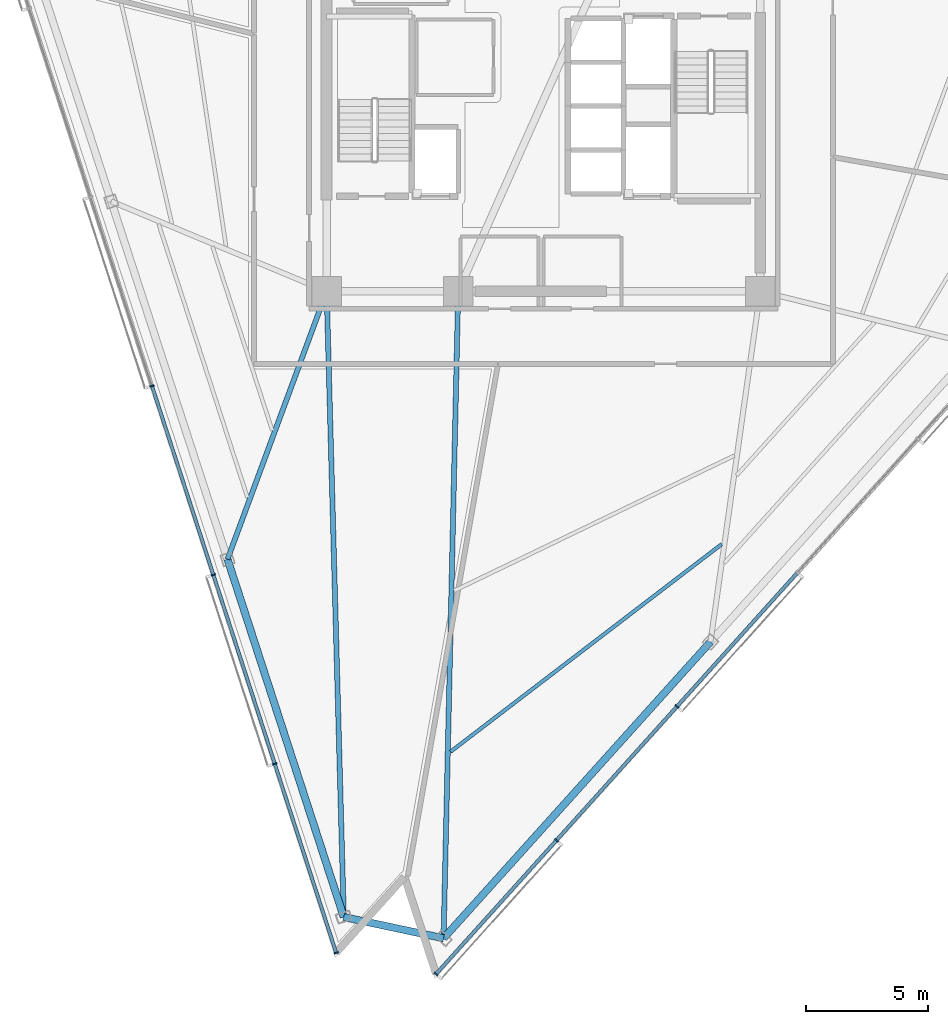
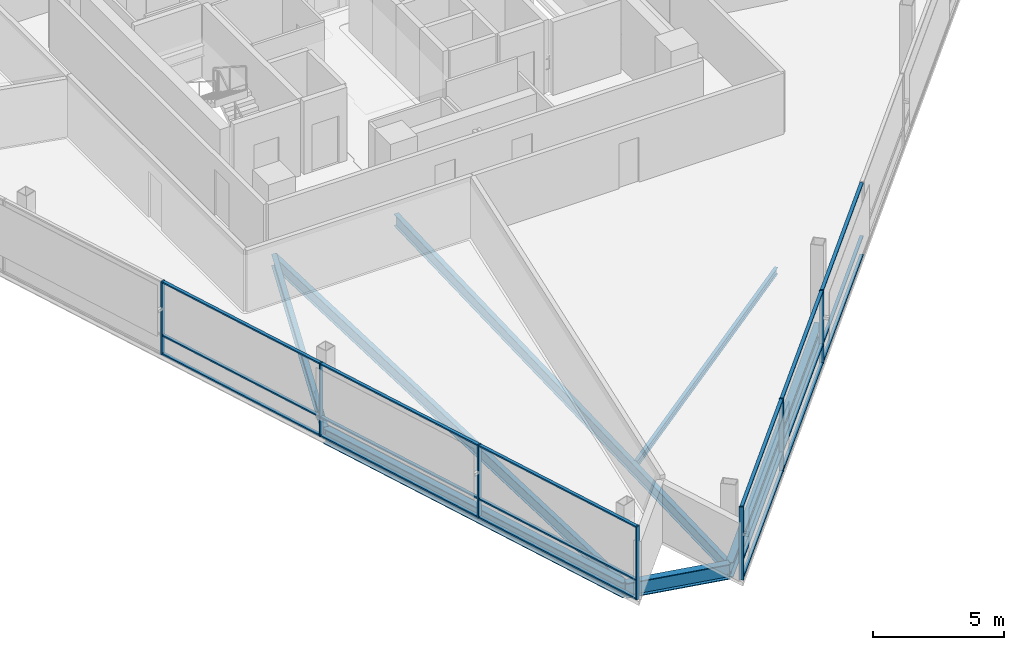
# One storey, part 2 of 16: 25 members, 7 beams, 2 elements without a shape of their own.
"""IFC4 building model written with IfcOpenShell, lengths in metres."""

import ifcopenshell
import ifcopenshell.guid

model = None  # the IFC model being written
_history = None  # IfcOwnerHistory: only IFC2X3 demands one
_inside = {}  # id of a spatial element -> (the spatial element, [elements in it])
_under = {}  # id of a project, library or spatial element -> (it, [spatial elements below it])
_declared = {}  # id of a project -> (the project, [libraries it declares])
_typed = {}  # id of a type object -> (the type object, [elements of that type])
_made_of = {}  # id of a material, layer set ... -> (it, [elements and type objects made of it])


def new_model(schema):
    """Start an empty IFC model of exactly this schema.

    Asked for "IFC4X3", IfcOpenShell would pick the latest addendum, in which some entities
    have other attributes; the version numbers below select the first issue.
    IFC2X3 requires an IfcOwnerHistory on every rooted entity: one is made here for all.
    """
    global model, _history
    if schema == "IFC4X3":
        model = ifcopenshell.file(schema_version=(4, 3, 0, 0))
    else:
        model = ifcopenshell.file(schema=schema)
    _inside.clear()
    _under.clear()
    _declared.clear()
    _typed.clear()
    _made_of.clear()
    _history = None
    if model.schema == "IFC2X3":
        org = make("IfcOrganization", Name="unknown")
        user = make(
            "IfcPersonAndOrganization",
            ThePerson=make("IfcPerson", FamilyName="unknown"),
            TheOrganization=org,
        )
        app = make(
            "IfcApplication",
            ApplicationDeveloper=org,
            Version="unknown",
            ApplicationFullName="unknown",
            ApplicationIdentifier="unknown",
        )
        _history = make(
            "IfcOwnerHistory",
            OwningUser=user,
            OwningApplication=app,
            ChangeAction="ADDED",
            CreationDate=0,
        )
    return model


def make(cls, **values):
    """One entity of the class cls with the attributes given. An attribute that is None is left unset."""
    return model.create_entity(
        cls, **{name: value for name, value in values.items() if value is not None}
    )


def rooted(cls, **values):
    """An entity with a GlobalId (a new one), such as an element, a storey or a relation."""
    return make(cls, GlobalId=ifcopenshell.guid.new(), OwnerHistory=_history, **values)


def si_unit(unit_type, name, prefix=None):
    """IfcSIUnit, for example si_unit("LENGTHUNIT", "METRE", prefix="MILLI")."""
    return make("IfcSIUnit", UnitType=unit_type, Prefix=prefix, Name=name)


def assignment(units):
    """IfcUnitAssignment: the units of a project."""
    return None if units is None else make("IfcUnitAssignment", Units=units)


def point(xyz):
    """IfcCartesianPoint."""
    return None if xyz is None else make("IfcCartesianPoint", Coordinates=xyz)


def direction(xyz):
    """IfcDirection."""
    return None if xyz is None else make("IfcDirection", DirectionRatios=xyz)


def frame(location, z_axis=None, x_axis=None):
    """IfcAxis2Placement3D, a coordinate frame: its origin and axes. An axis left out is left unset."""
    return make(
        "IfcAxis2Placement3D",
        Location=point(location),
        Axis=direction(z_axis),
        RefDirection=direction(x_axis),
    )


def frame_2d(location, x_axis=None):
    """IfcAxis2Placement2D, a coordinate frame in the plane: its origin and x axis."""
    return make(
        "IfcAxis2Placement2D", Location=point(location), RefDirection=direction(x_axis)
    )


def origin():
    """The frame at (0, 0, 0) with its axes left unset."""
    return frame((0.0, 0.0, 0.0))


def origin_2d():
    """The frame at (0, 0) in the plane with its x axis left unset."""
    return frame_2d((0.0, 0.0))


def place(relative_to, where):
    """IfcLocalPlacement: puts the frame where relative to a parent placement (None: the world)."""
    return make(
        "IfcLocalPlacement", PlacementRelTo=relative_to, RelativePlacement=where
    )


def context(
    kind, dimensions, precision=None, world=None, true_north=None, identifier=None
):
    """IfcGeometricRepresentationContext, for example the 3D "Model" context."""
    return make(
        "IfcGeometricRepresentationContext",
        ContextIdentifier=identifier,
        ContextType=kind,
        CoordinateSpaceDimension=dimensions,
        Precision=precision,
        WorldCoordinateSystem=world,
        TrueNorth=true_north,
    )


def subcontext(parent, identifier, kind, view, scale=None):
    """IfcGeometricRepresentationSubContext, for example "Body" below "Model"."""
    return make(
        "IfcGeometricRepresentationSubContext",
        ContextIdentifier=identifier,
        ContextType=kind,
        ParentContext=parent,
        TargetScale=scale,
        TargetView=view,
    )


def project(units=None, contexts=None):
    """IfcProject with its units and contexts."""
    return rooted(
        "IfcProject",
        Name="project",
        RepresentationContexts=contexts,
        UnitsInContext=assignment(units),
    )


def spatial(cls, under=None, at=None, **own):
    """A site, building, storey or space (cls), placed at a placement, below another one or the project."""
    s = rooted(cls, ObjectPlacement=at, **own)
    if under is not None:
        _under.setdefault(under.id(), (under, []))[1].append(s)
    return s


def profile(cls, at=None, kind="AREA", **sizes):
    """A parametric profile (cls). Its sizes go by their IFC names, for example OverallWidth=200.0."""
    return make(cls, ProfileType=kind, Position=at, **sizes)


def rectangle(**sizes):
    """IfcRectangleProfileDef."""
    return profile("IfcRectangleProfileDef", **sizes)


def i_section(**sizes):
    """IfcIShapeProfileDef."""
    return profile("IfcIShapeProfileDef", **sizes)


def extrude(swept, where, along, depth):
    """IfcExtrudedAreaSolid: the profile swept, set in the frame where, extruded along a direction by depth."""
    return make(
        "IfcExtrudedAreaSolid",
        SweptArea=swept,
        Position=where,
        ExtrudedDirection=direction(along),
        Depth=depth,
    )


def shape(context_of_items, identifier, shape_type, items):
    """IfcShapeRepresentation: the items that make up one representation, for example the "Body"."""
    return make(
        "IfcShapeRepresentation",
        ContextOfItems=context_of_items,
        RepresentationIdentifier=identifier,
        RepresentationType=shape_type,
        Items=items,
    )


def material(Name=None, Category=None):
    """IfcMaterial."""
    return make("IfcMaterial", Name=Name, Category=Category)


def layer(
    of_material, thickness, ventilated=None, Name=None, Category=None, Priority=None
):
    """IfcMaterialLayer: one layer of a wall or slab, of a material (None: an air gap)."""
    return make(
        "IfcMaterialLayer",
        Material=of_material,
        LayerThickness=thickness,
        IsVentilated=ventilated,
        Name=Name,
        Category=Category,
        Priority=Priority,
    )


def layer_set(layers, Name=None):
    """IfcMaterialLayerSet."""
    return make("IfcMaterialLayerSet", MaterialLayers=layers, LayerSetName=Name)


def material_profile(
    of_material, cross_section, Name=None, Category=None, Priority=None
):
    """IfcMaterialProfile: a cross section and its material."""
    return make(
        "IfcMaterialProfile",
        Name=Name,
        Material=of_material,
        Profile=cross_section,
        Priority=Priority,
        Category=Category,
    )


def profile_set(profiles, Name=None, composite=None):
    """IfcMaterialProfileSet."""
    return make(
        "IfcMaterialProfileSet",
        Name=Name,
        MaterialProfiles=profiles,
        CompositeProfile=composite,
    )


def made_of(thing, what):
    """Note that an element or type object is made of a material, layer set ...; save() writes the relation."""
    if what is not None:
        _made_of.setdefault(what.id(), (what, []))[1].append(thing)
    return thing


def type_object(cls, material=None, **own):
    """A type object (cls), such as IfcWallType, which elements share."""
    return made_of(rooted(cls, **own), material)


def element(
    cls,
    number,
    at=None,
    inside=None,
    cuts=None,
    type_object=None,
    material=None,
    context=None,
    identifier="Body",
    shape_type=None,
    held_by="IfcProductDefinitionShape",
    body=None,
    shapes=None,
    **own,
):
    """One element of the class cls, such as IfcWall. Its Tag is "e" and its number.

    at: its placement. inside: the storey or other place that contains it. cuts: it is an
    opening in that element (IfcRelVoidsElement). A single representation is given by context,
    identifier, shape_type and body (its items); several are given by shapes. held_by: the class
    of the entity that holds the representations. save() writes the other relations.
    """
    e = rooted(cls, Tag="e%d" % number, ObjectPlacement=at, **own)
    if body is not None:
        shapes = [shape(context, identifier, shape_type, body)]
    if shapes is not None:
        e.Representation = make(held_by, Representations=shapes)
    if inside is not None:
        _inside.setdefault(inside.id(), (inside, []))[1].append(e)
    if cuts is not None:
        rooted(
            "IfcRelVoidsElement", RelatingBuildingElement=cuts, RelatedOpeningElement=e
        )
    if type_object is not None:
        _typed.setdefault(type_object.id(), (type_object, []))[1].append(e)
    return made_of(e, material)


def aggregate(whole, parts):
    """IfcRelAggregates: a whole, such as a stair, and the parts it consists of."""
    return rooted("IfcRelAggregates", RelatingObject=whole, RelatedObjects=parts)


def save(model, path):
    """Write the relations noted so far, then the file.

    IfcRelAggregates (storeys below a building ...), IfcRelContainedInSpatialStructure (elements
    in a storey), IfcRelDefinesByType, IfcRelAssociatesMaterial and IfcRelDeclares: one each for
    every whole, place, type object, material and project.
    """
    for whole, parts in _under.values():
        aggregate(whole, parts)
    for where, things in _inside.values():
        rooted(
            "IfcRelContainedInSpatialStructure",
            RelatedElements=things,
            RelatingStructure=where,
        )
    for kind, things in _typed.values():
        rooted("IfcRelDefinesByType", RelatedObjects=things, RelatingType=kind)
    for what, things in _made_of.values():
        rooted("IfcRelAssociatesMaterial", RelatedObjects=things, RelatingMaterial=what)
    for by, libraries in _declared.values():
        rooted("IfcRelDeclares", RelatingContext=by, RelatedDefinitions=libraries)
    model.write(path)


model = new_model("IFC4")

# Units and contexts
model_context = context("Model", 3, precision=1e-05, world=origin(), true_north=direction((0.0, 1.0)))
body_context = subcontext(model_context, "Body", "Model", "MODEL_VIEW")
ifc_project = project(units=[si_unit("LENGTHUNIT", "METRE"), si_unit("AREAUNIT", "SQUARE_METRE"), si_unit("VOLUMEUNIT", "CUBIC_METRE"), si_unit("PLANEANGLEUNIT", "RADIAN"), si_unit("MASSUNIT", "GRAM", prefix="KILO")], contexts=[model_context])

# Site, building, storey
site_placement = place(None, origin())
site = spatial("IfcSite", under=ifc_project, at=site_placement, CompositionType="ELEMENT")
building_placement = place(site_placement, origin())
building = spatial("IfcBuilding", under=site, at=building_placement, Name="Tharavind Bronze Gate", CompositionType="ELEMENT")
storey_placement = place(building_placement, frame((0.0, 0.0, 211.25)))
storey = spatial("IfcBuildingStorey", under=building, at=storey_placement, Name="L54", CompositionType="ELEMENT", Elevation=211.25)

# Curtain wall, members
ifc_material_1 = material(Name="Anodised Bronze Aluminium", Category="aluminium")
ifc_layer = layer(ifc_material_1, 0.219970703125)
ifc_layer_set = layer_set([ifc_layer], Name="Anodised Bronze Aluminium")
curtain_wall_type = type_object("IfcCurtainWallType", Name="UNITISED CURTAIN WALL MID OFFICE", PredefinedType="USERDEFINED", material=ifc_layer_set)
curtain_wall_1_placement = place(storey_placement, origin())
curtain_wall_1 = element("IfcCurtainWall", 1, at=curtain_wall_1_placement, inside=storey, type_object=curtain_wall_type, Name="L54 unitised curtain wall mid office CW-L54-S1", ObjectType="UNITISED CURTAIN WALL", PredefinedType="USERDEFINED")
member_type_1 = type_object("IfcMemberType", Name="CURTAIN WALL BRONZE MULLION 65X180", PredefinedType="MULLION", material=ifc_material_1)
member_1_placement = place(storey_placement, frame((-16.0693359375, -11.489013671875, 0.0), z_axis=(0.0, 0.0, 1.0), x_axis=(0.309016994375, -0.951056516295, 0.0)))
member_1 = element("IfcMember", 2, at=member_1_placement, type_object=member_type_1, Name="CW-L54-S1 mullion 4", PredefinedType="MULLION", context=body_context, shape_type="SweptSolid", body=[
    extrude(rectangle(XDim=0.06494140625, YDim=0.179931640625, at=origin_2d()), origin(), (0.0, 0.0, 1.0), 3.419921875),
])
member_2_placement = place(storey_placement, frame((-13.54931640625, -19.24560546875, 0.0), z_axis=(0.0, 0.0, 1.0), x_axis=(0.309016994375, -0.951056516295, 0.0)))
member_2 = element("IfcMember", 3, at=member_2_placement, type_object=member_type_1, Name="CW-L54-S1 mullion 5", PredefinedType="MULLION", context=body_context, shape_type="SweptSolid", body=[
    extrude(rectangle(XDim=0.06494140625, YDim=0.179931640625, at=origin_2d()), origin(), (0.0, 0.0, 1.0), 3.419921875),
])
member_3_placement = place(storey_placement, frame((-11.029052734375, -27.002197265625, 0.0), z_axis=(0.0, 0.0, 1.0), x_axis=(0.309016994375, -0.951056516295, 0.0)))
member_3 = element("IfcMember", 4, at=member_3_placement, type_object=member_type_1, Name="CW-L54-S1 mullion 6", PredefinedType="MULLION", context=body_context, shape_type="SweptSolid", body=[
    extrude(rectangle(XDim=0.06494140625, YDim=0.179931640625, at=origin_2d()), origin(), (0.0, 0.0, 1.0), 3.419921875),
])
member_4_placement = place(storey_placement, frame((-8.5087890625, -34.7587890625, 0.0), z_axis=(0.0, 0.0, 1.0), x_axis=(0.309016994375, -0.951056516295, 0.0)))
member_4 = element("IfcMember", 5, at=member_4_placement, type_object=member_type_1, Name="CW-L54-S1 mullion 7", PredefinedType="MULLION", context=body_context, shape_type="SweptSolid", body=[
    extrude(rectangle(XDim=0.06494140625, YDim=0.179931640625, at=origin_2d()), origin(), (0.0, 0.0, 1.0), 3.419921875),
])

curtain_wall_2_placement = place(storey_placement, origin())
curtain_wall_2 = element("IfcCurtainWall", 6, at=curtain_wall_2_placement, inside=storey, type_object=curtain_wall_type, Name="L54 unitised curtain wall mid office CW-L54-S2", ObjectType="UNITISED CURTAIN WALL", PredefinedType="USERDEFINED")
member_5_placement = place(storey_placement, frame((-4.412109375, -35.62939453125, 0.0), z_axis=(0.0, 0.0, 1.0), x_axis=(0.669130606359, 0.743144825477, 0.0)))
member_5 = element("IfcMember", 7, at=member_5_placement, type_object=member_type_1, Name="CW-L54-S2 mullion 1", PredefinedType="MULLION", context=body_context, shape_type="SweptSolid", body=[
    extrude(rectangle(XDim=0.06494140625, YDim=0.179931640625, at=origin_2d()), origin(), (0.0, 0.0, 1.0), 3.419921875),
])
member_6_placement = place(storey_placement, frame((0.5322265625, -30.13818359375, 0.0), z_axis=(0.0, 0.0, 1.0), x_axis=(0.669130606359, 0.743144825477, 0.0)))
member_6 = element("IfcMember", 8, at=member_6_placement, type_object=member_type_1, Name="CW-L54-S2 mullion 2", PredefinedType="MULLION", context=body_context, shape_type="SweptSolid", body=[
    extrude(rectangle(XDim=0.06494140625, YDim=0.179931640625, at=origin_2d()), origin(), (0.0, 0.0, 1.0), 3.419921875),
])
member_7_placement = place(storey_placement, frame((5.476806640625, -24.646484375, 0.0), z_axis=(0.0, 0.0, 1.0), x_axis=(0.669130606359, 0.743144825477, 0.0)))
member_7 = element("IfcMember", 9, at=member_7_placement, type_object=member_type_1, Name="CW-L54-S2 mullion 3", PredefinedType="MULLION", context=body_context, shape_type="SweptSolid", body=[
    extrude(rectangle(XDim=0.06494140625, YDim=0.179931640625, at=origin_2d()), origin(), (0.0, 0.0, 1.0), 3.419921875),
])

# Member
member_type_2 = type_object("IfcMemberType", Name="CURTAIN WALL BRONZE TRANSOM 65X140", PredefinedType="USERDEFINED", material=ifc_material_1)
member_8_placement = place(storey_placement, frame((-14.809326171875, -15.367431640625, 0.0), z_axis=(0.0, 0.0, 1.0), x_axis=(0.309016994375, -0.951056516295, 0.0)))
member_8 = element("IfcMember", 10, at=member_8_placement, type_object=member_type_2, Name="CW-L54-S1 transom TB4", ObjectType="TRANSOM", PredefinedType="USERDEFINED", context=body_context, shape_type="SweptSolid", body=[
    extrude(rectangle(XDim=8.102783203125, YDim=0.139892578125, at=origin_2d()), origin(), (0.0, 0.0, 1.0), 0.06494140625),
])

member_9_placement = place(storey_placement, frame((-14.809326171875, -15.367431640625, 0.867431640625), z_axis=(0.0, 0.0, 1.0), x_axis=(0.309016994375, -0.951056516295, 0.0)))
member_9 = element("IfcMember", 11, at=member_9_placement, type_object=member_type_2, Name="CW-L54-S1 transom TS4", ObjectType="TRANSOM", PredefinedType="USERDEFINED", context=body_context, shape_type="SweptSolid", body=[
    extrude(rectangle(XDim=8.102783203125, YDim=0.139892578125, at=origin_2d()), origin(), (0.0, 0.0, 1.0), 0.06494140625),
])

member_10_placement = place(storey_placement, frame((-14.809326171875, -15.367431640625, 3.35498046875), z_axis=(0.0, 0.0, 1.0), x_axis=(0.309016994375, -0.951056516295, 0.0)))
member_10 = element("IfcMember", 12, at=member_10_placement, type_object=member_type_2, Name="CW-L54-S1 transom TT4", ObjectType="TRANSOM", PredefinedType="USERDEFINED", context=body_context, shape_type="SweptSolid", body=[
    extrude(rectangle(XDim=8.102783203125, YDim=0.139892578125, at=origin_2d()), origin(), (0.0, 0.0, 1.0), 0.06494140625),
])

member_11_placement = place(storey_placement, frame((-12.2890625, -23.123779296875, 0.0), z_axis=(0.0, 0.0, 1.0), x_axis=(0.309016994375, -0.951056516295, 0.0)))
member_11 = element("IfcMember", 13, at=member_11_placement, type_object=member_type_2, Name="CW-L54-S1 transom TB5", ObjectType="TRANSOM", PredefinedType="USERDEFINED", context=body_context, shape_type="SweptSolid", body=[
    extrude(rectangle(XDim=8.102783203125, YDim=0.139892578125, at=origin_2d()), origin(), (0.0, 0.0, 1.0), 0.06494140625),
])

member_12_placement = place(storey_placement, frame((-12.2890625, -23.123779296875, 0.867431640625), z_axis=(0.0, 0.0, 1.0), x_axis=(0.309016994375, -0.951056516295, 0.0)))
member_12 = element("IfcMember", 14, at=member_12_placement, type_object=member_type_2, Name="CW-L54-S1 transom TS5", ObjectType="TRANSOM", PredefinedType="USERDEFINED", context=body_context, shape_type="SweptSolid", body=[
    extrude(rectangle(XDim=8.102783203125, YDim=0.139892578125, at=origin_2d()), origin(), (0.0, 0.0, 1.0), 0.06494140625),
])

member_13_placement = place(storey_placement, frame((-12.2890625, -23.123779296875, 3.35498046875), z_axis=(0.0, 0.0, 1.0), x_axis=(0.309016994375, -0.951056516295, 0.0)))
member_13 = element("IfcMember", 15, at=member_13_placement, type_object=member_type_2, Name="CW-L54-S1 transom TT5", ObjectType="TRANSOM", PredefinedType="USERDEFINED", context=body_context, shape_type="SweptSolid", body=[
    extrude(rectangle(XDim=8.102783203125, YDim=0.139892578125, at=origin_2d()), origin(), (0.0, 0.0, 1.0), 0.06494140625),
])

member_14_placement = place(storey_placement, frame((-9.768798828125, -30.88037109375, 0.0), z_axis=(0.0, 0.0, 1.0), x_axis=(0.309016994375, -0.951056516295, 0.0)))
member_14 = element("IfcMember", 16, at=member_14_placement, type_object=member_type_2, Name="CW-L54-S1 transom TB6", ObjectType="TRANSOM", PredefinedType="USERDEFINED", context=body_context, shape_type="SweptSolid", body=[
    extrude(rectangle(XDim=8.102783203125, YDim=0.139892578125, at=origin_2d()), origin(), (0.0, 0.0, 1.0), 0.06494140625),
])

member_15_placement = place(storey_placement, frame((-9.768798828125, -30.88037109375, 0.867431640625), z_axis=(0.0, 0.0, 1.0), x_axis=(0.309016994375, -0.951056516295, 0.0)))
member_15 = element("IfcMember", 17, at=member_15_placement, type_object=member_type_2, Name="CW-L54-S1 transom TS6", ObjectType="TRANSOM", PredefinedType="USERDEFINED", context=body_context, shape_type="SweptSolid", body=[
    extrude(rectangle(XDim=8.102783203125, YDim=0.139892578125, at=origin_2d()), origin(), (0.0, 0.0, 1.0), 0.06494140625),
])

member_16_placement = place(storey_placement, frame((-9.768798828125, -30.88037109375, 3.35498046875), z_axis=(0.0, 0.0, 1.0), x_axis=(0.309016994375, -0.951056516295, 0.0)))
member_16 = element("IfcMember", 18, at=member_16_placement, type_object=member_type_2, Name="CW-L54-S1 transom TT6", ObjectType="TRANSOM", PredefinedType="USERDEFINED", context=body_context, shape_type="SweptSolid", body=[
    extrude(rectangle(XDim=8.102783203125, YDim=0.139892578125, at=origin_2d()), origin(), (0.0, 0.0, 1.0), 0.06494140625),
])

aggregate(curtain_wall_1, [member_1, member_2, member_3, member_4, member_8, member_9, member_10, member_11, member_12, member_13, member_14, member_15, member_16])

member_17_placement = place(storey_placement, frame((-1.93994140625, -32.8837890625, 0.0), z_axis=(0.0, 0.0, 1.0), x_axis=(0.669130606359, 0.743144825477, 0.0)))
member_17 = element("IfcMember", 19, at=member_17_placement, type_object=member_type_2, Name="CW-L54-S2 transom TB1", ObjectType="TRANSOM", PredefinedType="USERDEFINED", context=body_context, shape_type="SweptSolid", body=[
    extrude(rectangle(XDim=7.33642578125, YDim=0.139892578125, at=origin_2d()), origin(), (0.0, 0.0, 1.0), 0.06494140625),
])

member_18_placement = place(storey_placement, frame((-1.93994140625, -32.8837890625, 0.867431640625), z_axis=(0.0, 0.0, 1.0), x_axis=(0.669130606359, 0.743144825477, 0.0)))
member_18 = element("IfcMember", 20, at=member_18_placement, type_object=member_type_2, Name="CW-L54-S2 transom TS1", ObjectType="TRANSOM", PredefinedType="USERDEFINED", context=body_context, shape_type="SweptSolid", body=[
    extrude(rectangle(XDim=7.33642578125, YDim=0.139892578125, at=origin_2d()), origin(), (0.0, 0.0, 1.0), 0.06494140625),
])

member_19_placement = place(storey_placement, frame((-1.93994140625, -32.8837890625, 3.35498046875), z_axis=(0.0, 0.0, 1.0), x_axis=(0.669130606359, 0.743144825477, 0.0)))
member_19 = element("IfcMember", 21, at=member_19_placement, type_object=member_type_2, Name="CW-L54-S2 transom TT1", ObjectType="TRANSOM", PredefinedType="USERDEFINED", context=body_context, shape_type="SweptSolid", body=[
    extrude(rectangle(XDim=7.33642578125, YDim=0.139892578125, at=origin_2d()), origin(), (0.0, 0.0, 1.0), 0.06494140625),
])

member_20_placement = place(storey_placement, frame((3.004638671875, -27.392333984375, 0.0), z_axis=(0.0, 0.0, 1.0), x_axis=(0.669130606359, 0.743144825477, 0.0)))
member_20 = element("IfcMember", 22, at=member_20_placement, type_object=member_type_2, Name="CW-L54-S2 transom TB2", ObjectType="TRANSOM", PredefinedType="USERDEFINED", context=body_context, shape_type="SweptSolid", body=[
    extrude(rectangle(XDim=7.33642578125, YDim=0.139892578125, at=origin_2d()), origin(), (0.0, 0.0, 1.0), 0.06494140625),
])

member_21_placement = place(storey_placement, frame((3.004638671875, -27.392333984375, 0.867431640625), z_axis=(0.0, 0.0, 1.0), x_axis=(0.669130606359, 0.743144825477, 0.0)))
member_21 = element("IfcMember", 23, at=member_21_placement, type_object=member_type_2, Name="CW-L54-S2 transom TS2", ObjectType="TRANSOM", PredefinedType="USERDEFINED", context=body_context, shape_type="SweptSolid", body=[
    extrude(rectangle(XDim=7.33642578125, YDim=0.139892578125, at=origin_2d()), origin(), (0.0, 0.0, 1.0), 0.06494140625),
])

member_22_placement = place(storey_placement, frame((3.004638671875, -27.392333984375, 3.35498046875), z_axis=(0.0, 0.0, 1.0), x_axis=(0.669130606359, 0.743144825477, 0.0)))
member_22 = element("IfcMember", 24, at=member_22_placement, type_object=member_type_2, Name="CW-L54-S2 transom TT2", ObjectType="TRANSOM", PredefinedType="USERDEFINED", context=body_context, shape_type="SweptSolid", body=[
    extrude(rectangle(XDim=7.33642578125, YDim=0.139892578125, at=origin_2d()), origin(), (0.0, 0.0, 1.0), 0.06494140625),
])

member_23_placement = place(storey_placement, frame((7.94921875, -21.90087890625, 0.0), z_axis=(0.0, 0.0, 1.0), x_axis=(0.669130606359, 0.743144825477, 0.0)))
member_23 = element("IfcMember", 25, at=member_23_placement, type_object=member_type_2, Name="CW-L54-S2 transom TB3", ObjectType="TRANSOM", PredefinedType="USERDEFINED", context=body_context, shape_type="SweptSolid", body=[
    extrude(rectangle(XDim=7.33642578125, YDim=0.139892578125, at=origin_2d()), origin(), (0.0, 0.0, 1.0), 0.06494140625),
])

member_24_placement = place(storey_placement, frame((7.94921875, -21.90087890625, 0.867431640625), z_axis=(0.0, 0.0, 1.0), x_axis=(0.669130606359, 0.743144825477, 0.0)))
member_24 = element("IfcMember", 26, at=member_24_placement, type_object=member_type_2, Name="CW-L54-S2 transom TS3", ObjectType="TRANSOM", PredefinedType="USERDEFINED", context=body_context, shape_type="SweptSolid", body=[
    extrude(rectangle(XDim=7.33642578125, YDim=0.139892578125, at=origin_2d()), origin(), (0.0, 0.0, 1.0), 0.06494140625),
])

member_25_placement = place(storey_placement, frame((7.94921875, -21.90087890625, 3.35498046875), z_axis=(0.0, 0.0, 1.0), x_axis=(0.669130606359, 0.743144825477, 0.0)))
member_25 = element("IfcMember", 27, at=member_25_placement, type_object=member_type_2, Name="CW-L54-S2 transom TT3", ObjectType="TRANSOM", PredefinedType="USERDEFINED", context=body_context, shape_type="SweptSolid", body=[
    extrude(rectangle(XDim=7.33642578125, YDim=0.139892578125, at=origin_2d()), origin(), (0.0, 0.0, 1.0), 0.06494140625),
])

aggregate(curtain_wall_2, [member_5, member_6, member_7, member_17, member_18, member_19, member_20, member_21, member_22, member_23, member_24, member_25])

# Beams
ifc_material_2 = material(Name="Steel S355", Category="steel")
ifc_material_profile_1 = material_profile(ifc_material_2, i_section(OverallWidth=0.2099609375, OverallDepth=0.550048828125, WebThickness=0.010986328125, FlangeThickness=0.01708984375, at=origin_2d()), Name="IPE550")
ifc_profile_set_1 = profile_set([ifc_material_profile_1], Name="Steel S355")
beam_type_1 = type_object("IfcBeamType", Name="PRIMARY GIRDER IPE550", PredefinedType="USERDEFINED", material=ifc_profile_set_1)
beam_1_placement = place(storey_placement, frame((-12.9697265625, -18.60205078125, -0.455078125), z_axis=(0.34694151405, 0.937886765995, 0.0), x_axis=(-0.937886765995, 0.34694151405, 0.0)))
element("IfcBeam", 28, at=beam_1_placement, inside=storey, type_object=beam_type_1, Name="L54 primary girder ipe550 BM-L54-RAD03", ObjectType="GIRDER", PredefinedType="USERDEFINED", context=body_context, shape_type="SweptSolid", body=[
    extrude(i_section(OverallWidth=0.2099609375, OverallDepth=0.550048828125, WebThickness=0.010986328125, FlangeThickness=0.01708984375, at=origin_2d()), origin(), (0.0, 0.0, 1.0), 11.73046875),
])
beam_2_placement = place(storey_placement, frame((-8.197021484375, -33.29150390625, -0.455078125), z_axis=(-0.027348365031, 0.999625963513, 0.0), x_axis=(-0.999625963513, -0.027348365031, 0.0)))
element("IfcBeam", 29, at=beam_2_placement, inside=storey, type_object=beam_type_1, Name="L54 primary girder ipe550 BM-L54-RAD04", ObjectType="GIRDER", PredefinedType="USERDEFINED", context=body_context, shape_type="SweptSolid", body=[
    extrude(i_section(OverallWidth=0.2099609375, OverallDepth=0.550048828125, WebThickness=0.010986328125, FlangeThickness=0.01708984375, at=origin_2d()), origin(), (0.0, 0.0, 1.0), 25.700927734375),
])
beam_3_placement = place(storey_placement, frame((-4.100341796875, -34.162353515625, -0.455078125), z_axis=(0.022595540292, 0.999744688187, 0.0), x_axis=(-0.999744688187, 0.022595540292, 0.0)))
element("IfcBeam", 30, at=beam_3_placement, inside=storey, type_object=beam_type_1, Name="L54 primary girder ipe550 BM-L54-RAD05", ObjectType="GIRDER", PredefinedType="USERDEFINED", context=body_context, shape_type="SweptSolid", body=[
    extrude(i_section(OverallWidth=0.2099609375, OverallDepth=0.550048828125, WebThickness=0.010986328125, FlangeThickness=0.01708984375, at=origin_2d()), origin(), (0.0, 0.0, 1.0), 26.569091796875),
])
ifc_material_profile_2 = material_profile(ifc_material_2, i_section(OverallWidth=0.300048828125, OverallDepth=0.699951171875, WebThickness=0.01708984375, FlangeThickness=0.031982421875, at=origin_2d()), Name="HE700B")
ifc_profile_set_2 = profile_set([ifc_material_profile_2], Name="Steel S355")
beam_type_2 = type_object("IfcBeamType", Name="RING GIRDER HE700B", PredefinedType="USERDEFINED", material=ifc_profile_set_2)
beam_4_placement = place(storey_placement, frame((-12.9697265625, -18.60205078125, -0.530029296875), z_axis=(0.309006009957, -0.951060085279, 0.0), x_axis=(0.951060085279, 0.309006009957, 0.0)))
element("IfcBeam", 31, at=beam_4_placement, inside=storey, type_object=beam_type_2, Name="L54 ring girder he700b BM-L54-PRG03", ObjectType="GIRDER", PredefinedType="USERDEFINED", context=body_context, shape_type="SweptSolid", body=[
    extrude(i_section(OverallWidth=0.300048828125, OverallDepth=0.699951171875, WebThickness=0.01708984375, FlangeThickness=0.031982421875, at=origin_2d()), origin(), (0.0, 0.0, 1.0), 15.4453125),
])
beam_5_placement = place(storey_placement, frame((-8.197021484375, -33.29150390625, -0.530029296875), z_axis=(0.978144033538, -0.207928472445, 0.0), x_axis=(0.207928472445, 0.978144033538, 0.0)))
element("IfcBeam", 32, at=beam_5_placement, inside=storey, type_object=beam_type_2, Name="L54 ring girder he700b BM-L54-PRG04", ObjectType="GIRDER", PredefinedType="USERDEFINED", context=body_context, shape_type="SweptSolid", body=[
    extrude(i_section(OverallWidth=0.300048828125, OverallDepth=0.699951171875, WebThickness=0.01708984375, FlangeThickness=0.031982421875, at=origin_2d()), origin(), (0.0, 0.0, 1.0), 4.188232421875),
])
beam_6_placement = place(storey_placement, frame((-4.100341796875, -34.162353515625, -0.530029296875), z_axis=(0.669127800443, 0.743147351926, 0.0), x_axis=(-0.743147351926, 0.669127800443, 0.0)))
element("IfcBeam", 33, at=beam_6_placement, inside=storey, type_object=beam_type_2, Name="L54 ring girder he700b BM-L54-PRG05", ObjectType="GIRDER", PredefinedType="USERDEFINED", context=body_context, shape_type="SweptSolid", body=[
    extrude(i_section(OverallWidth=0.300048828125, OverallDepth=0.699951171875, WebThickness=0.01708984375, FlangeThickness=0.031982421875, at=origin_2d()), origin(), (0.0, 0.0, 1.0), 16.376220703125),
])
ifc_material_profile_3 = material_profile(ifc_material_2, i_section(OverallWidth=0.14990234375, OverallDepth=0.300048828125, WebThickness=0.007080078125, FlangeThickness=0.0107421875, at=origin_2d()), Name="IPE300")
ifc_profile_set_3 = profile_set([ifc_material_profile_3], Name="Steel S355")
beam_type_3 = type_object("IfcBeamType", Name="SECONDARY FLOOR JOIST IPE300", PredefinedType="JOIST", material=ifc_profile_set_3)
beam_7_placement = place(storey_placement, frame((-3.819091796875, -26.5078125, -0.330078125), z_axis=(0.794097846092, 0.607789939726, 0.0), x_axis=(-0.607789939726, 0.794097846092, 0.0)))
element("IfcBeam", 34, at=beam_7_placement, inside=storey, type_object=beam_type_3, Name="L54 secondary floor joist ipe300 BM-L54-JSTB05", PredefinedType="JOIST", context=body_context, shape_type="SweptSolid", body=[
    extrude(i_section(OverallWidth=0.14990234375, OverallDepth=0.300048828125, WebThickness=0.007080078125, FlangeThickness=0.0107421875, at=origin_2d()), origin(), (0.0, 0.0, 1.0), 14.024169921875),
])

save(model, "model.ifc")
